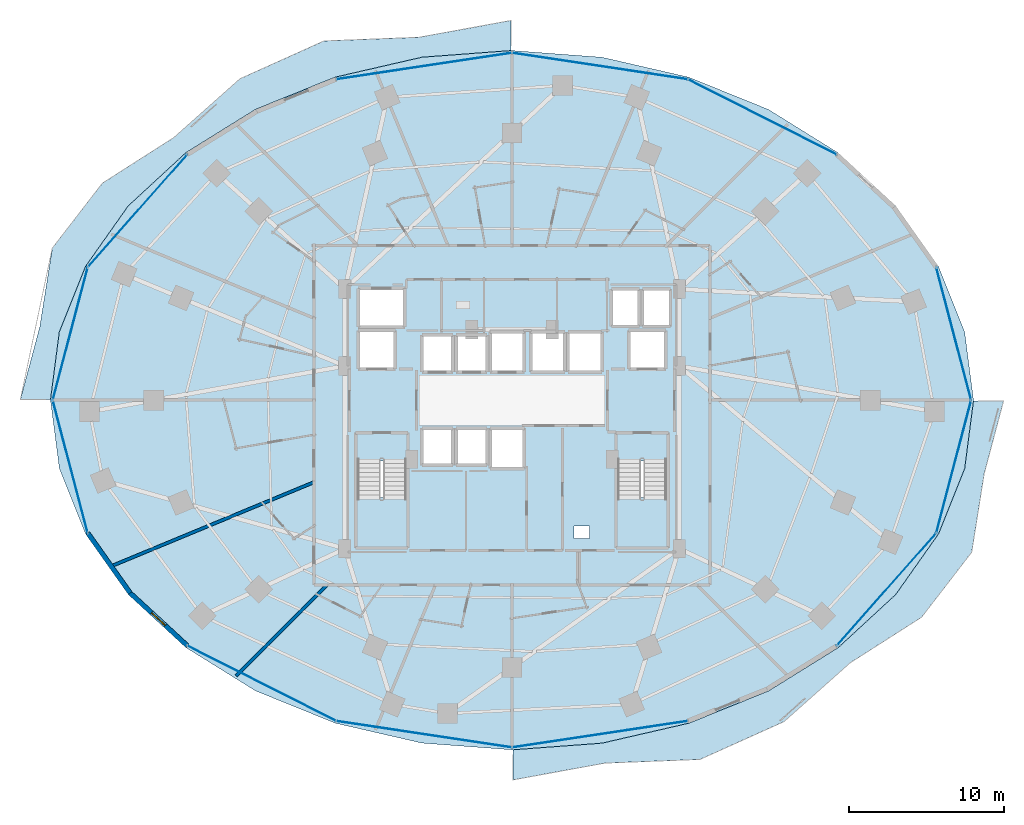
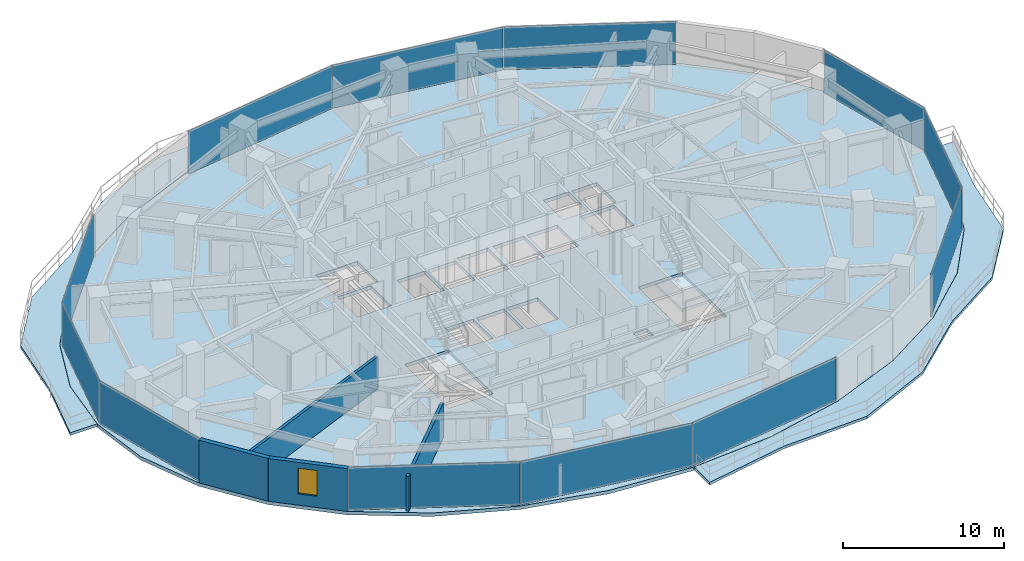
# One storey, part 25 of 34: 12 plates, 5 slabs, 4 walls, 1 window, 1 opening, 6 elements without a shape of their own.
"""IFC4 building model written with IfcOpenShell, lengths in metres."""

from ifc_helpers import new_model, si_unit, direction, frame, frame_2d, origin, origin_2d, place, context, subcontext, project, spatial, polyline, rectangle, outline, extrude, material, layer, layer_set, type_object, element, fill, aggregate, save


model = new_model("IFC4")

# Units and contexts
model_context = context("Model", 3, precision=1e-05, world=origin(), true_north=direction((0.0, 1.0)))
body_context = subcontext(model_context, "Body", "Model", "MODEL_VIEW")
ifc_project = project(units=[si_unit("LENGTHUNIT", "METRE"), si_unit("AREAUNIT", "SQUARE_METRE"), si_unit("VOLUMEUNIT", "CUBIC_METRE"), si_unit("PLANEANGLEUNIT", "RADIAN"), si_unit("MASSUNIT", "GRAM", prefix="KILO")], contexts=[model_context])

# Site, building, storey
site_placement = place(None, origin())
site = spatial("IfcSite", under=ifc_project, at=site_placement, CompositionType="ELEMENT")
building_placement = place(site_placement, origin())
building = spatial("IfcBuilding", under=site, at=building_placement, Name="Vorneva Point Tower", CompositionType="ELEMENT")
storey_placement = place(building_placement, frame((0.0, 0.0, 27.5)))
storey = spatial("IfcBuildingStorey", under=building, at=storey_placement, Name="L06", CompositionType="ELEMENT", Elevation=27.5)

# Curtain wall, plates
ifc_material_1 = material(Name="Pale anodised aluminium", Category="aluminium")
curtain_wall_type = type_object("IfcCurtainWallType", Name="CW-HTL-SYS", PredefinedType="NOTDEFINED", material=ifc_material_1)
curtain_wall_1_placement = place(storey_placement, origin())
curtain_wall_1 = element("IfcCurtainWall", 1, at=curtain_wall_1_placement, inside=storey, type_object=curtain_wall_type, Name="L06 Unitised Curtain Wall CW-L06-R01", PredefinedType="NOTDEFINED")
ifc_material_2 = material(Name="Double low-e laminated glass IGU", Category="glass")
ifc_layer_1 = layer(ifc_material_2, 0.035888671875)
ifc_layer_set_1 = layer_set([ifc_layer_1], Name="Double low-e laminated glass IGU")
plate_type = type_object("IfcPlateType", Name="CW-PNL-VIS", PredefinedType="CURTAIN_PANEL", material=ifc_layer_set_1)
plate_1_placement = place(storey_placement, frame((62.097900390625, 13.821533203125, -0.02001953125), z_axis=(0.0, 0.0, 1.0), x_axis=(0.662070857019, 0.749441245386, 0.0)))
plate_1 = element("IfcPlate", 2, at=plate_1_placement, type_object=plate_type, Name="CW-L06-R01 Glazed Panel 01", PredefinedType="CURTAIN_PANEL", context=body_context, shape_type="SweptSolid", body=[
    extrude(rectangle(XDim=9.625, YDim=0.035888671875, at=origin_2d()), origin(), (0.0, 0.0, 1.0), 3.280029296875),
])
plate_2_placement = place(storey_placement, frame((66.42529296875, 21.723388671875, -0.02001953125), z_axis=(0.0, 0.0, 1.0), x_axis=(0.254348767449, 0.967112560407, 0.0)))
plate_2 = element("IfcPlate", 3, at=plate_2_placement, type_object=plate_type, Name="CW-L06-R01 Glazed Panel 02", PredefinedType="CURTAIN_PANEL", context=body_context, shape_type="SweptSolid", body=[
    extrude(rectangle(XDim=8.793701171875, YDim=0.035888671875, at=origin_2d()), origin(), (0.0, 0.0, 1.0), 3.280029296875),
])
plate_3_placement = place(storey_placement, frame((66.42529296875, 30.276611328125, -0.02001953125), z_axis=(0.0, 0.0, 1.0), x_axis=(-0.254348767449, 0.967112560407, 0.0)))
plate_3 = element("IfcPlate", 4, at=plate_3_placement, type_object=plate_type, Name="CW-L06-R01 Glazed Panel 03", PredefinedType="CURTAIN_PANEL", context=body_context, shape_type="SweptSolid", body=[
    extrude(rectangle(XDim=8.793701171875, YDim=0.035888671875, at=origin_2d()), origin(), (0.0, 0.0, 1.0), 3.280029296875),
])
aggregate(curtain_wall_1, [plate_1, plate_2, plate_3])

curtain_wall_2_placement = place(storey_placement, origin())
curtain_wall_2 = element("IfcCurtainWall", 5, at=curtain_wall_2_placement, inside=storey, type_object=curtain_wall_type, Name="L06 Unitised Curtain Wall CW-L06-R02", PredefinedType="NOTDEFINED")
plate_4_placement = place(storey_placement, frame((54.101806640625, 44.226318359375, -0.02001953125), z_axis=(0.0, 0.0, 1.0), x_axis=(-0.892499239729, 0.451048896554, 0.0)))
plate_4 = element("IfcPlate", 6, at=plate_4_placement, type_object=plate_type, Name="CW-L06-R02 Glazed Panel 01", PredefinedType="CURTAIN_PANEL", context=body_context, shape_type="SweptSolid", body=[
    extrude(rectangle(XDim=10.69140625, YDim=0.035888671875, at=origin_2d()), origin(), (0.0, 0.0, 1.0), 3.280029296875),
])
plate_5_placement = place(storey_placement, frame((43.654296875, 47.499267578125, -0.02001953125), z_axis=(0.0, 0.0, 1.0), x_axis=(-0.988870924381, 0.148775989034, 0.0)))
plate_5 = element("IfcPlate", 7, at=plate_5_placement, type_object=plate_type, Name="CW-L06-R02 Glazed Panel 02", PredefinedType="CURTAIN_PANEL", context=body_context, shape_type="SweptSolid", body=[
    extrude(rectangle(XDim=11.385498046875, YDim=0.035888671875, at=origin_2d()), origin(), (0.0, 0.0, 1.0), 3.280029296875),
])
plate_6_placement = place(storey_placement, frame((32.345703125, 47.499267578125, -0.02001953125), z_axis=(0.0, 0.0, 1.0), x_axis=(-0.988870924381, -0.148775989034, 0.0)))
plate_6 = element("IfcPlate", 8, at=plate_6_placement, type_object=plate_type, Name="CW-L06-R02 Glazed Panel 03", PredefinedType="CURTAIN_PANEL", context=body_context, shape_type="SweptSolid", body=[
    extrude(rectangle(XDim=11.385498046875, YDim=0.035888671875, at=origin_2d()), origin(), (0.0, 0.0, 1.0), 3.280029296875),
])
aggregate(curtain_wall_2, [plate_4, plate_5, plate_6])

curtain_wall_3_placement = place(storey_placement, origin())
curtain_wall_3 = element("IfcCurtainWall", 9, at=curtain_wall_3_placement, inside=storey, type_object=curtain_wall_type, Name="L06 Unitised Curtain Wall CW-L06-R03", PredefinedType="NOTDEFINED")
plate_7_placement = place(storey_placement, frame((13.902099609375, 38.178466796875, -0.02001953125), z_axis=(0.0, 0.0, 1.0), x_axis=(-0.662070857019, -0.749441245386, 0.0)))
plate_7 = element("IfcPlate", 10, at=plate_7_placement, type_object=plate_type, Name="CW-L06-R03 Glazed Panel 01", PredefinedType="CURTAIN_PANEL", context=body_context, shape_type="SweptSolid", body=[
    extrude(rectangle(XDim=9.625, YDim=0.035888671875, at=origin_2d()), origin(), (0.0, 0.0, 1.0), 3.280029296875),
])
plate_8_placement = place(storey_placement, frame((9.57470703125, 30.276611328125, -0.02001953125), z_axis=(0.0, 0.0, 1.0), x_axis=(-0.254348767449, -0.967112560407, 0.0)))
plate_8 = element("IfcPlate", 11, at=plate_8_placement, type_object=plate_type, Name="CW-L06-R03 Glazed Panel 02", PredefinedType="CURTAIN_PANEL", context=body_context, shape_type="SweptSolid", body=[
    extrude(rectangle(XDim=8.793701171875, YDim=0.035888671875, at=origin_2d()), origin(), (0.0, 0.0, 1.0), 3.280029296875),
])
plate_9_placement = place(storey_placement, frame((9.57470703125, 21.723388671875, -0.02001953125), z_axis=(0.0, 0.0, 1.0), x_axis=(0.254348767449, -0.967112560407, 0.0)))
plate_9 = element("IfcPlate", 12, at=plate_9_placement, type_object=plate_type, Name="CW-L06-R03 Glazed Panel 03", PredefinedType="CURTAIN_PANEL", context=body_context, shape_type="SweptSolid", body=[
    extrude(rectangle(XDim=8.793701171875, YDim=0.035888671875, at=origin_2d()), origin(), (0.0, 0.0, 1.0), 3.280029296875),
])
aggregate(curtain_wall_3, [plate_7, plate_8, plate_9])

curtain_wall_4_placement = place(storey_placement, origin())
curtain_wall_4 = element("IfcCurtainWall", 13, at=curtain_wall_4_placement, inside=storey, type_object=curtain_wall_type, Name="L06 Unitised Curtain Wall CW-L06-R04", PredefinedType="NOTDEFINED")
plate_10_placement = place(storey_placement, frame((21.8984375, 7.773681640625, -0.02001953125), z_axis=(0.0, 0.0, 1.0), x_axis=(0.892499239729, -0.451048896554, 0.0)))
plate_10 = element("IfcPlate", 14, at=plate_10_placement, type_object=plate_type, Name="CW-L06-R04 Glazed Panel 01", PredefinedType="CURTAIN_PANEL", context=body_context, shape_type="SweptSolid", body=[
    extrude(rectangle(XDim=10.69140625, YDim=0.035888671875, at=origin_2d()), origin(), (0.0, 0.0, 1.0), 3.280029296875),
])
plate_11_placement = place(storey_placement, frame((32.345703125, 4.500732421875, -0.02001953125), z_axis=(0.0, 0.0, 1.0), x_axis=(0.988870924381, -0.148775989034, 0.0)))
plate_11 = element("IfcPlate", 15, at=plate_11_placement, type_object=plate_type, Name="CW-L06-R04 Glazed Panel 02", PredefinedType="CURTAIN_PANEL", context=body_context, shape_type="SweptSolid", body=[
    extrude(rectangle(XDim=11.385498046875, YDim=0.035888671875, at=origin_2d()), origin(), (0.0, 0.0, 1.0), 3.280029296875),
])
plate_12_placement = place(storey_placement, frame((43.654296875, 4.500732421875, -0.02001953125), z_axis=(0.0, 0.0, 1.0), x_axis=(0.988870924381, 0.148775989034, 0.0)))
plate_12 = element("IfcPlate", 16, at=plate_12_placement, type_object=plate_type, Name="CW-L06-R04 Glazed Panel 03", PredefinedType="CURTAIN_PANEL", context=body_context, shape_type="SweptSolid", body=[
    extrude(rectangle(XDim=11.385498046875, YDim=0.035888671875, at=origin_2d()), origin(), (0.0, 0.0, 1.0), 3.280029296875),
])
aggregate(curtain_wall_4, [plate_10, plate_11, plate_12])

# Slabs
ifc_material_3 = material(Name="Concrete B50 (C40/50)", Category="concrete")
ifc_layer_2 = layer(ifc_material_3, 0.199951171875)
ifc_layer_set_2 = layer_set([ifc_layer_2], Name="Concrete B50 (C40/50)")
slab_type_1 = type_object("IfcSlabType", Name="SLB-BAL-200", PredefinedType="FLOOR", material=ifc_layer_set_2)
slab_1_placement = place(storey_placement, frame((0.0, 0.0, -0.199951171875)))
element("IfcSlab", 17, at=slab_1_placement, inside=storey, type_object=slab_type_1, Name="L06 Cantilevered Wave Balcony NW", PredefinedType="FLOOR", context=body_context, shape_type="SweptSolid", body=[
    extrude(outline(polyline([(6.36328125, 26.050048828125), (8.302490234375, 26.050048828125), (8.86669921875, 30.389892578125), (8.86669921875, 30.390380859375), (8.866943359375, 30.390625), (8.866943359375, 30.39111328125), (10.55712890625, 34.61181640625), (10.557373046875, 34.6123046875), (10.5576171875, 34.61279296875), (13.302001953125, 38.502685546875), (13.302490234375, 38.5029296875), (13.302734375, 38.503173828125), (16.99609375, 41.912841796875), (16.99658203125, 41.9130859375), (16.996826171875, 41.913330078125), (21.49755859375, 44.71142578125), (21.497802734375, 44.711669921875), (21.498046875, 44.7119140625), (26.6328125, 46.791015625), (26.633056640625, 46.791015625), (26.63330078125, 46.791259765625), (32.204833984375, 48.071533203125), (32.205078125, 48.07177734375), (32.20556640625, 48.07177734375), (37.949951171875, 48.500244140625), (37.949951171875, 50.44091796875), (32.01171875, 49.3564453125), (25.90234375, 49.1201171875), (20.497802734375, 46.68701171875), (16.244140625, 42.90625), (11.64208984375, 39.96728515625), (8.41552734375, 35.783203125), (7.610107421875, 30.720458984375), (6.36328125, 26.050048828125)])), origin(), (0.0, 0.0, 1.0), 0.199951171875),
])
slab_2_placement = place(storey_placement, frame((0.0, 0.0, -0.199951171875)))
element("IfcSlab", 18, at=slab_2_placement, inside=storey, type_object=slab_type_1, Name="L06 Cantilevered Wave Balcony SE", PredefinedType="FLOOR", context=body_context, shape_type="SweptSolid", body=[
    extrude(outline(polyline([(68.389892578125, 21.279541015625), (69.63671875, 25.949951171875), (67.697509765625, 25.949951171875), (67.13330078125, 21.610107421875), (67.13330078125, 21.609619140625), (67.133056640625, 21.609375), (67.133056640625, 21.60888671875), (65.44287109375, 17.38818359375), (65.442626953125, 17.3876953125), (65.4423828125, 17.38720703125), (62.697998046875, 13.497314453125), (62.697509765625, 13.4970703125), (62.697265625, 13.496826171875), (59.00390625, 10.087158203125), (59.00341796875, 10.0869140625), (59.003173828125, 10.086669921875), (54.50244140625, 7.28857421875), (54.502197265625, 7.288330078125), (54.501953125, 7.2880859375), (49.3671875, 5.208984375), (49.366943359375, 5.208984375), (49.36669921875, 5.208740234375), (43.795166015625, 3.928466796875), (43.794921875, 3.92822265625), (43.79443359375, 3.92822265625), (38.050048828125, 3.499755859375), (38.050048828125, 1.55908203125), (43.98828125, 2.6435546875), (50.09765625, 2.8798828125), (55.502197265625, 5.31298828125), (59.755859375, 9.09375), (64.35791015625, 12.03271484375), (67.58447265625, 16.216796875), (68.389892578125, 21.279541015625)])), origin(), (0.0, 0.0, 1.0), 0.199951171875),
])

# Stair, slab
stair_type = type_object("IfcStairType", Name="ST-DOG-1500", PredefinedType="HALF_TURN_STAIR", material=ifc_material_3)
stair_1_placement = place(storey_placement, origin())
stair_1 = element("IfcStair", 19, at=stair_1_placement, inside=storey, type_object=stair_type, Name="L06 ST1", PredefinedType="HALF_TURN_STAIR")
ifc_layer_3 = layer(ifc_material_3, 0.199951171875)
ifc_layer_set_3 = layer_set([ifc_layer_3], Name="Concrete B50 (C40/50)")
slab_type_2 = type_object("IfcSlabType", Name="SLB-LND-200", PredefinedType="LANDING", material=ifc_layer_set_3)
slab_3_placement = place(storey_placement, frame((0.0, 0.0, 1.550048828125)))
slab_3 = element("IfcSlab", 20, at=slab_3_placement, type_object=slab_type_2, Name="ST1 landing 1", PredefinedType="LANDING", context=body_context, shape_type="SweptSolid", body=[
    extrude(outline(polyline([(27.929931640625, 16.47998046875), (31.320068359375, 16.47998046875), (31.320068359375, 19.72998046875), (27.929931640625, 19.72998046875), (27.929931640625, 16.47998046875)])), origin(), (0.0, 0.0, 1.0), 0.199951171875),
])
aggregate(stair_1, [slab_3])

stair_2_placement = place(storey_placement, origin())
stair_2 = element("IfcStair", 21, at=stair_2_placement, inside=storey, type_object=stair_type, Name="L06 ST2", PredefinedType="HALF_TURN_STAIR")
slab_4_placement = place(storey_placement, frame((0.0, 0.0, 1.550048828125)))
slab_4 = element("IfcSlab", 22, at=slab_4_placement, type_object=slab_type_2, Name="ST2 landing 1", PredefinedType="LANDING", context=body_context, shape_type="SweptSolid", body=[
    extrude(outline(polyline([(44.679931640625, 16.47998046875), (48.070068359375, 16.47998046875), (48.070068359375, 19.72998046875), (44.679931640625, 19.72998046875), (44.679931640625, 16.47998046875)])), origin(), (0.0, 0.0, 1.0), 0.199951171875),
])
aggregate(stair_2, [slab_4])

# Slab
ifc_layer_4 = layer(ifc_material_3, 0.260009765625)
ifc_layer_set_4 = layer_set([ifc_layer_4], Name="Concrete B50 (C40/50)")
slab_type_3 = type_object("IfcSlabType", Name="SLB-TYP-260", PredefinedType="FLOOR", material=ifc_layer_set_4)
slab_5_placement = place(storey_placement, frame((0.0, 0.0, -0.260009765625)))
element("IfcSlab", 23, at=slab_5_placement, inside=storey, type_object=slab_type_3, Name="L06 Structural Floor Plate", PredefinedType="FLOOR", context=body_context, shape_type="SweptSolid", body=[
    extrude(outline(polyline([(67.699951171875, 26.0), (67.12939453125, 30.389404296875), (65.439208984375, 34.6103515625), (62.694580078125, 38.500244140625), (59.001220703125, 41.909912109375), (54.50048828125, 44.7080078125), (49.36572265625, 46.787353515625), (43.794189453125, 48.067626953125), (38.0, 48.5), (32.205810546875, 48.067626953125), (26.63427734375, 46.787353515625), (21.49951171875, 44.7080078125), (16.998779296875, 41.909912109375), (13.305419921875, 38.500244140625), (10.560791015625, 34.6103515625), (8.87060546875, 30.389404296875), (8.300048828125, 26.0), (8.87060546875, 21.610595703125), (10.560791015625, 17.3896484375), (13.305419921875, 13.499755859375), (16.998779296875, 10.090087890625), (21.49951171875, 7.2919921875), (26.63427734375, 5.212646484375), (32.205810546875, 3.932373046875), (38.0, 3.5), (43.794189453125, 3.932373046875), (49.36572265625, 5.212646484375), (54.50048828125, 7.2919921875), (59.001220703125, 10.090087890625), (62.694580078125, 13.499755859375), (65.439208984375, 17.3896484375), (67.12939453125, 21.610595703125), (67.699951171875, 26.0)]), holes=[polyline([(32.199951171875, 27.800048828125), (34.199951171875, 27.800048828125), (34.199951171875, 30.199951171875), (32.199951171875, 30.199951171875), (32.199951171875, 27.800048828125)]), polyline([(34.39990234375, 27.800048828125), (36.39990234375, 27.800048828125), (36.39990234375, 30.199951171875), (34.39990234375, 30.199951171875), (34.39990234375, 27.800048828125)]), polyline([(36.60009765625, 27.800048828125), (38.800048828125, 27.800048828125), (38.800048828125, 30.39990234375), (36.60009765625, 30.39990234375), (36.60009765625, 27.800048828125)]), polyline([(32.199951171875, 21.800048828125), (34.199951171875, 21.800048828125), (34.199951171875, 24.199951171875), (32.199951171875, 24.199951171875), (32.199951171875, 21.800048828125)]), polyline([(34.39990234375, 21.800048828125), (36.39990234375, 21.800048828125), (36.39990234375, 24.199951171875), (34.39990234375, 24.199951171875), (34.39990234375, 21.800048828125)]), polyline([(36.60009765625, 21.60009765625), (38.800048828125, 21.60009765625), (38.800048828125, 24.199951171875), (36.60009765625, 24.199951171875), (36.60009765625, 21.60009765625)]), polyline([(39.199951171875, 27.800048828125), (41.39990234375, 27.800048828125), (41.39990234375, 30.39990234375), (39.199951171875, 30.39990234375), (39.199951171875, 27.800048828125)]), polyline([(41.60009765625, 27.800048828125), (43.800048828125, 27.800048828125), (43.800048828125, 30.39990234375), (41.60009765625, 30.39990234375), (41.60009765625, 27.800048828125)]), polyline([(44.39990234375, 30.739990234375), (46.199951171875, 30.739990234375), (46.199951171875, 33.159912109375), (44.39990234375, 33.159912109375), (44.39990234375, 30.739990234375)]), polyline([(46.39990234375, 30.739990234375), (48.199951171875, 30.739990234375), (48.199951171875, 33.159912109375), (46.39990234375, 33.159912109375), (46.39990234375, 30.739990234375)]), polyline([(28.10009765625, 28.0), (30.5, 28.0), (30.5, 30.5), (28.10009765625, 30.5), (28.10009765625, 28.0)]), polyline([(45.5, 28.0), (47.89990234375, 28.0), (47.89990234375, 30.5), (45.5, 30.5), (45.5, 28.0)]), polyline([(28.10009765625, 30.699951171875), (31.10009765625, 30.699951171875), (31.10009765625, 33.199951171875), (28.10009765625, 33.199951171875), (28.10009765625, 30.699951171875)]), polyline([(28.050048828125, 16.60009765625), (31.199951171875, 16.60009765625), (31.199951171875, 22.080078125), (28.050048828125, 22.080078125), (28.050048828125, 16.60009765625)]), polyline([(44.800048828125, 16.60009765625), (47.949951171875, 16.60009765625), (47.949951171875, 22.080078125), (44.800048828125, 22.080078125), (44.800048828125, 16.60009765625)]), polyline([(42.0, 17.10009765625), (43.0, 17.10009765625), (43.0, 17.89990234375), (42.0, 17.89990234375), (42.0, 17.10009765625)])]), origin(), (0.0, 0.0, 1.0), 0.260009765625),
])

# Wall
ifc_material_4 = material(Name="Precast concrete B50 (C40/50)", Category="concrete")
ifc_layer_5 = layer(ifc_material_4, 0.300048828125)
ifc_layer_set_5 = layer_set([ifc_layer_5], Name="Precast concrete B50 (C40/50)")
wall_type_1 = type_object("IfcWallType", Name="WL-EXT-300", PredefinedType="STANDARD", material=ifc_layer_set_5)
wall_1_placement = place(storey_placement, frame((10.699462890625, 17.447021484375, 0.0), z_axis=(0.0, 0.0, 1.0), x_axis=(0.577130815624, -0.816651713803, 0.0)))
element("IfcWall", 24, at=wall_1_placement, inside=storey, type_object=wall_type_1, Name="L06 Pale-Metal Facade Spandrel Wall 10.1", PredefinedType="STANDARD", context=body_context, shape_type="SweptSolid", body=[
    extrude(rectangle(XDim=4.7314453125, YDim=0.300048828125, at=frame_2d((2.36572265625, 0.0))), origin(), (0.0, 0.0, 1.0), 3.239990234375),
])

# Wall, opening, window
wall_2_placement = place(storey_placement, frame((13.43017578125, 13.5830078125, 0.0), z_axis=(0.0, 0.0, 1.0), x_axis=(0.735342629635, -0.677695519419, 0.0)))
wall_2 = element("IfcWall", 25, at=wall_2_placement, inside=storey, type_object=wall_type_1, Name="L06 Pale-Metal Facade Spandrel Wall 10.2", PredefinedType="STANDARD", context=body_context, shape_type="SweptSolid", body=[
    extrude(rectangle(XDim=4.997314453125, YDim=0.300048828125, at=frame_2d((2.49853515625, 0.0))), origin(), (0.0, 0.0, 1.0), 3.239990234375),
])
opening_placement = place(wall_2_placement, frame((1.868896484375, 0.0, 0.85009765625)))
opening = element("IfcOpeningElement", 26, at=opening_placement, cuts=wall_2, Name="Opening W-04", PredefinedType="OPENING", context=body_context, shape_type="SweptSolid", body=[
    extrude(rectangle(XDim=1.199951171875, YDim=1.949951171875, at=frame_2d((0.60009765625, 0.97509765625))), frame((0.0, 0.1650390625, 0.0), z_axis=(0.0, -1.0, 0.0), x_axis=(1.0, 0.0, 0.0)), (0.0, 0.0, 1.0), 0.329833984375),
])
window_type = type_object("IfcWindowType", Name="WN-RES-1200", PartitioningType="SINGLE_PANEL", PredefinedType="WINDOW", material=ifc_material_2)
window_placement = place(opening_placement, origin())
window = element("IfcWindow", 27, at=window_placement, inside=storey, type_object=window_type, Name="L06 Dwelling Vision Window 02", OverallHeight=1.949951171875, OverallWidth=1.199951171875, PartitioningType="SINGLE_PANEL", PredefinedType="WINDOW", context=body_context, shape_type="SweptSolid", body=[
    extrude(rectangle(XDim=1.199951171875, YDim=1.949951171875, at=frame_2d((0.60009765625, 0.97509765625))), frame((0.0, 0.030029296875, 0.0), z_axis=(0.0, -1.0, 0.0), x_axis=(1.0, 0.0, 0.0)), (0.0, 0.0, 1.0), 0.06005859375),
])
fill(opening, window)

# Walls
ifc_material_5 = material(Name="Autoclaved aerated concrete blockwork", Category="masonry")
ifc_layer_6 = layer(ifc_material_5, 0.199951171875)
ifc_layer_set_6 = layer_set([ifc_layer_6], Name="Autoclaved aerated concrete blockwork")
wall_type_2 = type_object("IfcWallType", Name="WL-PART-200", PredefinedType="PARTITIONING", material=ifc_layer_set_6)
wall_3_placement = place(storey_placement, frame((12.20703125, 15.31591796875, 0.0), z_axis=(0.0, 0.0, 1.0), x_axis=(0.923866969846, 0.382713759914, 0.0)))
element("IfcWall", 28, at=wall_3_placement, inside=storey, type_object=wall_type_2, Name="L06 Interior Partition 093", PredefinedType="PARTITIONING", context=body_context, shape_type="SweptSolid", body=[
    extrude(rectangle(XDim=14.117919921875, YDim=0.199951171875, at=frame_2d((7.05908203125, 0.0))), origin(), (0.0, 0.0, 1.0), 2.431884765625),
])
wall_4_placement = place(storey_placement, frame((20.2470703125, 8.2470703125, 0.0), z_axis=(0.0, 0.0, 1.0), x_axis=(0.707106781187, 0.707106781187, 0.0)))
element("IfcWall", 29, at=wall_4_placement, inside=storey, type_object=wall_type_2, Name="L06 Interior Partition 096", PredefinedType="PARTITIONING", context=body_context, shape_type="SweptSolid", body=[
    extrude(rectangle(XDim=8.27734375, YDim=0.199951171875, at=frame_2d((4.138671875, 0.0))), origin(), (0.0, 0.0, 1.0), 2.6240234375),
])

save(model, "model.ifc")
